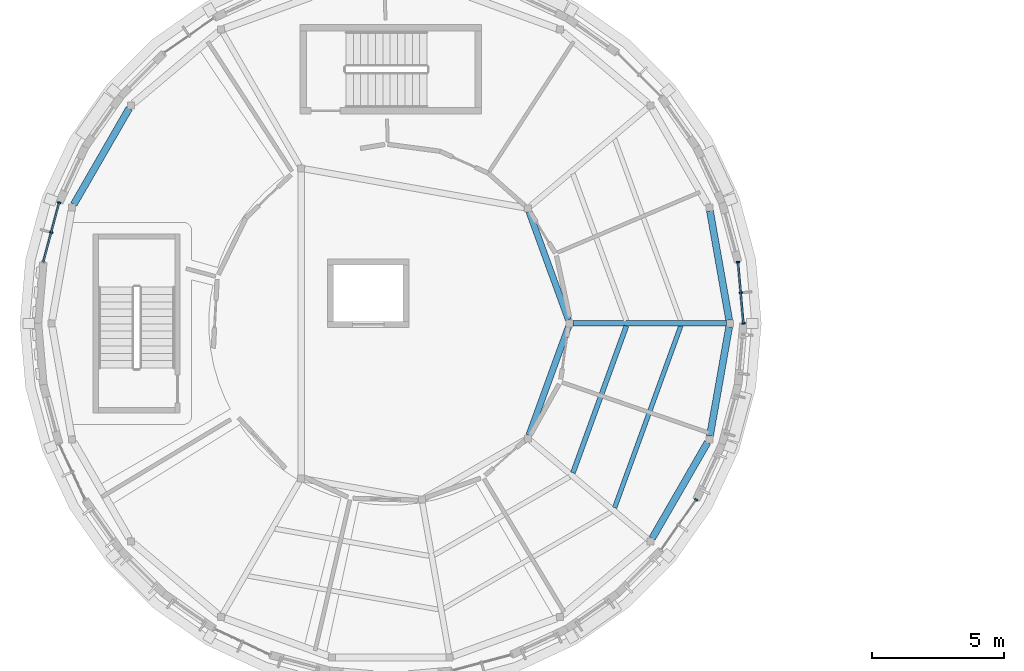
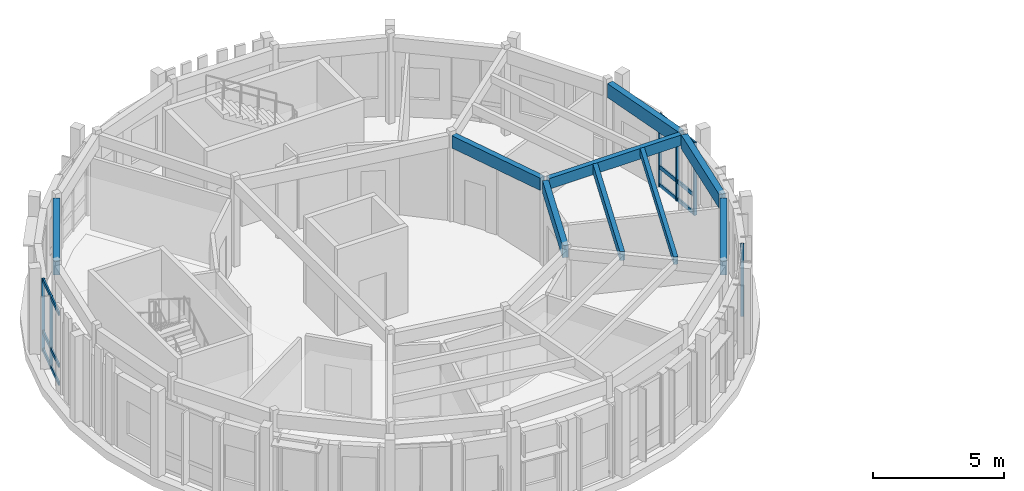
# One storey, part 6 of 30: 12 members, 9 beams, 3 elements without a shape of their own.
"""IFC4 building model written with IfcOpenShell, lengths in metres."""

from ifc_helpers import new_model, si_unit, direction, frame, origin, origin_2d, place, context, subcontext, project, spatial, rectangle, extrude, material, layer, layer_set, material_profile, profile_set, type_object, element, aggregate, save


model = new_model("IFC4")

# Units and contexts
model_context = context("Model", 3, precision=1e-05, world=origin(), true_north=direction((0.0, 1.0)))
body_context = subcontext(model_context, "Body", "Model", "MODEL_VIEW")
ifc_project = project(units=[si_unit("LENGTHUNIT", "METRE"), si_unit("AREAUNIT", "SQUARE_METRE"), si_unit("VOLUMEUNIT", "CUBIC_METRE"), si_unit("PLANEANGLEUNIT", "RADIAN"), si_unit("MASSUNIT", "GRAM", prefix="KILO")], contexts=[model_context])

# Site, building, storey
site_placement = place(None, origin())
site = spatial("IfcSite", under=ifc_project, at=site_placement, CompositionType="ELEMENT")
building_placement = place(site_placement, origin())
building = spatial("IfcBuilding", under=site, at=building_placement, Name="Aldenvaro Health Centre", CompositionType="ELEMENT")
storey_placement = place(building_placement, frame((0.0, 0.0, 17.14990234375)))
storey = spatial("IfcBuildingStorey", under=building, at=storey_placement, Name="L04", CompositionType="ELEMENT", Elevation=17.14990234375)

# Beams
ifc_material_1 = material(Name="Glulam GL28h", Category="wood")
ifc_material_profile_1 = material_profile(ifc_material_1, rectangle(XDim=0.175048828125, YDim=0.35009765625, at=origin_2d()), Name="GL 175x350", Category="wood")
ifc_profile_set_1 = profile_set([ifc_material_profile_1], Name="Glulam GL28h")
beam_type_1 = type_object("IfcBeamType", Name="BM-GL-350", PredefinedType="JOIST", material=ifc_profile_set_1)
beam_1_placement = place(storey_placement, frame((27.006103515625, 92.493896484375, 3.840087890625), z_axis=(0.341985813082, 0.939705115263, 0.0), x_axis=(-0.939705115263, 0.341985813082, 0.0)))
element("IfcBeam", 1, at=beam_1_placement, inside=storey, type_object=beam_type_1, Name="D4 L04 secondary joist 06.2", PredefinedType="JOIST", context=body_context, shape_type="SweptSolid", body=[
    extrude(rectangle(XDim=0.175048828125, YDim=0.35009765625, at=origin_2d()), origin(), (0.0, 0.0, 1.0), 7.34814453125),
])
ifc_material_profile_2 = material_profile(ifc_material_1, rectangle(XDim=0.18994140625, YDim=0.41796875, at=origin_2d()), Name="GL 190x418", Category="wood")
ifc_profile_set_2 = profile_set([ifc_material_profile_2], Name="Glulam GL28h")
beam_type_2 = type_object("IfcBeamType", Name="BM-GL-418", PredefinedType="JOIST", material=ifc_profile_set_2)
beam_2_placement = place(storey_placement, frame((25.423095703125, 93.822998046875, 3.80615234375), z_axis=(0.341921455433, 0.939728534373, 0.0), x_axis=(-0.939728534373, 0.341921455433, 0.0)))
element("IfcBeam", 2, at=beam_2_placement, inside=storey, type_object=beam_type_2, Name="D4 L04 secondary joist 06.1", PredefinedType="JOIST", context=body_context, shape_type="SweptSolid", body=[
    extrude(rectangle(XDim=0.18994140625, YDim=0.41796875, at=origin_2d()), origin(), (0.0, 0.0, 1.0), 5.93359375),
])
ifc_material_profile_3 = material_profile(ifc_material_1, rectangle(XDim=0.215087890625, YDim=0.493896484375, at=origin_2d()), Name="GL 215x494", Category="wood")
ifc_profile_set_3 = profile_set([ifc_material_profile_3], Name="Glulam GL28h")
beam_type_3 = type_object("IfcBeamType", Name="BM-GL-494", PredefinedType="BEAM", material=ifc_profile_set_3)
beam_3_placement = place(storey_placement, frame((25.43310546875, 99.5, 3.76806640625), z_axis=(1.0, 0.0, 0.0), x_axis=(0.0, 1.0, 0.0)))
element("IfcBeam", 3, at=beam_3_placement, inside=storey, type_object=beam_type_3, Name="D4 L04 radial beam 01", PredefinedType="BEAM", context=body_context, shape_type="SweptSolid", body=[
    extrude(rectangle(XDim=0.215087890625, YDim=0.493896484375, at=origin_2d()), origin(), (0.0, 0.0, 1.0), 5.81396484375),
])
ifc_material_profile_4 = material_profile(ifc_material_1, rectangle(XDim=0.239990234375, YDim=0.570068359375, at=origin_2d()), Name="GL 240x570", Category="wood")
ifc_profile_set_4 = profile_set([ifc_material_profile_4], Name="Glulam GL28h")
beam_type_4 = type_object("IfcBeamType", Name="BM-GL-570", PredefinedType="BEAM", material=ifc_profile_set_4)
for number, where, z_axis, x_axis, name in (
    (4, (25.2548828125, 99.625, 3.72998046875), (-0.34222571507, 0.939617773323, 0.0), (-0.939617773323, -0.34222571507, 0.0), "D4 L04 inner ring beam 01"),
    (5, (23.75390625, 95.25390625, 3.72998046875), (0.34222571507, 0.939617773323, 0.0), (-0.939617773323, 0.34222571507, 0.0), "D4 L04 inner ring beam 06"),
):
    element("IfcBeam", number, at=place(storey_placement, frame(where, z_axis=z_axis, x_axis=x_axis)), inside=storey, type_object=beam_type_4, Name=name, PredefinedType="BEAM", context=body_context, shape_type="SweptSolid", body=[
        extrude(rectangle(XDim=0.239990234375, YDim=0.570068359375, at=origin_2d()), origin(), (0.0, 0.0, 1.0), 4.385986328125),
    ])
ifc_material_profile_5 = material_profile(ifc_material_1, rectangle(XDim=0.264892578125, YDim=0.64599609375, at=origin_2d()), Name="GL 265x646", Category="wood")
ifc_profile_set_5 = profile_set([ifc_material_profile_5], Name="Glulam GL28h")
beam_type_5 = type_object("IfcBeamType", Name="BM-GL-646", PredefinedType="SPANDREL", material=ifc_profile_set_5)
beam_4_placement = place(storey_placement, frame((31.35693359375, 99.6298828125, 3.692138671875), z_axis=(-0.173666208797, 0.984804573467, 0.0), x_axis=(-0.984804573467, -0.173666208797, 0.0)))
element("IfcBeam", 6, at=beam_4_placement, inside=storey, type_object=beam_type_5, Name="D4 L04 perimeter spandrel 01", PredefinedType="SPANDREL", context=body_context, shape_type="SweptSolid", body=[
    extrude(rectangle(XDim=0.264892578125, YDim=0.64599609375, at=origin_2d()), origin(), (0.0, 0.0, 1.0), 4.208984375),
])
for number, where, z_axis, x_axis, name in (
    (7, (8.56689453125, 107.6640625, 3.692138671875), (-0.500020446946, -0.866013598413, 0.0), (0.866013598413, -0.500020446946, 0.0), "D4 L04 perimeter spandrel 08"),
    (8, (28.43310546875, 91.3359375, 3.692138671875), (0.500020446946, 0.866013598413, 0.0), (-0.866013598413, 0.500020446946, 0.0), "D4 L04 perimeter spandrel 17"),
):
    element("IfcBeam", number, at=place(storey_placement, frame(where, z_axis=z_axis, x_axis=x_axis)), inside=storey, type_object=beam_type_5, Name=name, PredefinedType="SPANDREL", context=body_context, shape_type="SweptSolid", body=[
        extrude(rectangle(XDim=0.264892578125, YDim=0.64599609375, at=origin_2d()), origin(), (0.0, 0.0, 1.0), 4.207763671875),
    ])
beam_5_placement = place(storey_placement, frame((30.6259765625, 95.22509765625, 3.692138671875), z_axis=(0.173666208797, 0.984804573467, 0.0), x_axis=(-0.984804573467, 0.173666208797, 0.0)))
element("IfcBeam", 9, at=beam_5_placement, inside=storey, type_object=beam_type_5, Name="D4 L04 perimeter spandrel 18", PredefinedType="SPANDREL", context=body_context, shape_type="SweptSolid", body=[
    extrude(rectangle(XDim=0.264892578125, YDim=0.64599609375, at=origin_2d()), origin(), (0.0, 0.0, 1.0), 4.208984375),
])

# Curtain wall, member
ifc_material_2 = material(Name="Anodised Aluminium 6063-T6", Category="aluminium")
ifc_layer = layer(ifc_material_2, 0.22509765625, Name="Anodised Aluminium 6063-T6", Category="aluminium")
ifc_layer_set = layer_set([ifc_layer], Name="Anodised Aluminium 6063-T6")
curtain_wall_type = type_object("IfcCurtainWallType", Name="CW-TER-04", PredefinedType="NOTDEFINED", material=ifc_layer_set)
curtain_wall_1_placement = place(storey_placement, origin())
curtain_wall_1 = element("IfcCurtainWall", 10, at=curtain_wall_1_placement, inside=storey, type_object=curtain_wall_type, Name="D4 L04 curtain wall bay 04", PredefinedType="NOTDEFINED")
ifc_material_profile_6 = material_profile(ifc_material_2, rectangle(XDim=0.06005859375, YDim=0.135009765625, at=origin_2d()), Name="ALU 60x135", Category="aluminium")
ifc_profile_set_6 = profile_set([ifc_material_profile_6], Name="Anodised Aluminium 6063-T6")
member_type_1 = type_object("IfcMemberType", Name="CWM-150", PredefinedType="MULLION", material=ifc_profile_set_6)
member_1_placement = place(storey_placement, frame((30.10498046875, 92.800048828125, 0.0), z_axis=(0.0, 0.0, 1.0), x_axis=(-0.573720929857, -0.819050849853, 0.0)))
member_1 = element("IfcMember", 11, at=member_1_placement, type_object=member_type_1, Name="D4 L04 curtain wall bay 04 mullion 1", PredefinedType="MULLION", context=body_context, shape_type="SweptSolid", body=[
    extrude(rectangle(XDim=0.06005859375, YDim=0.135009765625, at=origin_2d()), origin(), (0.0, 0.0, 1.0), 3.369140625),
])
aggregate(curtain_wall_1, [member_1])

# Curtain wall, members
curtain_wall_2_placement = place(storey_placement, origin())
curtain_wall_2 = element("IfcCurtainWall", 12, at=curtain_wall_2_placement, inside=storey, type_object=curtain_wall_type, Name="D4 L04 curtain wall bay 20", PredefinedType="NOTDEFINED")
member_2_placement = place(storey_placement, frame((5.60595703125, 102.955078125, 0.0), z_axis=(0.0, 0.0, 1.0), x_axis=(0.258621935517, 0.965978620089, 0.0)))
member_2 = element("IfcMember", 13, at=member_2_placement, type_object=member_type_1, Name="D4 L04 curtain wall bay 20 mullion 2", PredefinedType="MULLION", context=body_context, shape_type="SweptSolid", body=[
    extrude(rectangle(XDim=0.06005859375, YDim=0.135009765625, at=origin_2d()), origin(), (0.0, 0.0, 1.0), 3.369140625),
])
member_3_placement = place(storey_placement, frame((5.907958984375, 104.0830078125, 0.0), z_axis=(0.0, 0.0, 1.0), x_axis=(0.258621935517, 0.965978620089, 0.0)))
member_3 = element("IfcMember", 14, at=member_3_placement, type_object=member_type_1, Name="D4 L04 curtain wall bay 20 mullion 3", PredefinedType="MULLION", context=body_context, shape_type="SweptSolid", body=[
    extrude(rectangle(XDim=0.06005859375, YDim=0.135009765625, at=origin_2d()), origin(), (0.0, 0.0, 1.0), 3.369140625),
])

curtain_wall_3_placement = place(storey_placement, origin())
curtain_wall_3 = element("IfcCurtainWall", 15, at=curtain_wall_3_placement, inside=storey, type_object=curtain_wall_type, Name="D4 L04 curtain wall bay 36", PredefinedType="NOTDEFINED")
member_4_placement = place(storey_placement, frame((31.696044921875, 101.826904296875, 0.0), z_axis=(0.0, 0.0, 1.0), x_axis=(0.087331575855, -0.996179299052, 0.0)))
member_4 = element("IfcMember", 16, at=member_4_placement, type_object=member_type_1, Name="D4 L04 curtain wall bay 36 mullion 1", PredefinedType="MULLION", context=body_context, shape_type="SweptSolid", body=[
    extrude(rectangle(XDim=0.06005859375, YDim=0.135009765625, at=origin_2d()), origin(), (0.0, 0.0, 1.0), 3.369140625),
])
member_5_placement = place(storey_placement, frame((31.798095703125, 100.6630859375, 0.0), z_axis=(0.0, 0.0, 1.0), x_axis=(0.087331575855, -0.996179299052, 0.0)))
member_5 = element("IfcMember", 17, at=member_5_placement, type_object=member_type_1, Name="D4 L04 curtain wall bay 36 mullion 2", PredefinedType="MULLION", context=body_context, shape_type="SweptSolid", body=[
    extrude(rectangle(XDim=0.06005859375, YDim=0.135009765625, at=origin_2d()), origin(), (0.0, 0.0, 1.0), 3.369140625),
])
member_6_placement = place(storey_placement, frame((31.89990234375, 99.5, 0.0), z_axis=(0.0, 0.0, 1.0), x_axis=(0.087331575855, -0.996179299052, 0.0)))
member_6 = element("IfcMember", 18, at=member_6_placement, type_object=member_type_1, Name="D4 L04 curtain wall bay 36 mullion 3", PredefinedType="MULLION", context=body_context, shape_type="SweptSolid", body=[
    extrude(rectangle(XDim=0.06005859375, YDim=0.135009765625, at=origin_2d()), origin(), (0.0, 0.0, 1.0), 3.369140625),
])

# Member
ifc_material_profile_7 = material_profile(ifc_material_2, rectangle(XDim=0.06494140625, YDim=0.179931640625, at=origin_2d()), Name="ALU 65x180", Category="aluminium")
ifc_profile_set_7 = profile_set([ifc_material_profile_7], Name="Anodised Aluminium 6063-T6")
member_type_2 = type_object("IfcMemberType", Name="CWT-150", PredefinedType="USERDEFINED", material=ifc_profile_set_7)
member_7_placement = place(storey_placement, frame((5.303955078125, 101.826904296875, 0.06005859375), z_axis=(0.258612423585, 0.965981166673, 0.0), x_axis=(-0.965981166673, 0.258612423585, 0.0)))
member_7 = element("IfcMember", 19, at=member_7_placement, type_object=member_type_2, Name="D4 L04 curtain wall bay 20 transom 1", ObjectType="TRANSOM", PredefinedType="USERDEFINED", context=body_context, shape_type="SweptSolid", body=[
    extrude(rectangle(XDim=0.06494140625, YDim=0.179931640625, at=origin_2d()), origin(), (0.0, 0.0, 1.0), 2.33544921875),
])

member_8_placement = place(storey_placement, frame((5.303955078125, 101.826904296875, 0.900146484375), z_axis=(0.258612423585, 0.965981166673, 0.0), x_axis=(-0.965981166673, 0.258612423585, 0.0)))
member_8 = element("IfcMember", 20, at=member_8_placement, type_object=member_type_2, Name="D4 L04 curtain wall bay 20 transom 2", ObjectType="TRANSOM", PredefinedType="USERDEFINED", context=body_context, shape_type="SweptSolid", body=[
    extrude(rectangle(XDim=0.06494140625, YDim=0.179931640625, at=origin_2d()), origin(), (0.0, 0.0, 1.0), 2.33544921875),
])

member_9_placement = place(storey_placement, frame((5.303955078125, 101.826904296875, 3.30908203125), z_axis=(0.258612423585, 0.965981166673, 0.0), x_axis=(-0.965981166673, 0.258612423585, 0.0)))
member_9 = element("IfcMember", 21, at=member_9_placement, type_object=member_type_2, Name="D4 L04 curtain wall bay 20 transom 3", ObjectType="TRANSOM", PredefinedType="USERDEFINED", context=body_context, shape_type="SweptSolid", body=[
    extrude(rectangle(XDim=0.06494140625, YDim=0.179931640625, at=origin_2d()), origin(), (0.0, 0.0, 1.0), 2.33544921875),
])

aggregate(curtain_wall_2, [member_2, member_3, member_7, member_8, member_9])

member_10_placement = place(storey_placement, frame((31.696044921875, 101.826904296875, 0.06005859375), z_axis=(0.087274565792, -0.996184295282, 0.0), x_axis=(0.996184295282, 0.087274565792, 0.0)))
member_10 = element("IfcMember", 22, at=member_10_placement, type_object=member_type_2, Name="D4 L04 curtain wall bay 36 transom 1", ObjectType="TRANSOM", PredefinedType="USERDEFINED", context=body_context, shape_type="SweptSolid", body=[
    extrude(rectangle(XDim=0.06494140625, YDim=0.179931640625, at=origin_2d()), origin(), (0.0, 0.0, 1.0), 2.3359375),
])

member_11_placement = place(storey_placement, frame((31.696044921875, 101.826904296875, 0.900146484375), z_axis=(0.087274565792, -0.996184295282, 0.0), x_axis=(0.996184295282, 0.087274565792, 0.0)))
member_11 = element("IfcMember", 23, at=member_11_placement, type_object=member_type_2, Name="D4 L04 curtain wall bay 36 transom 2", ObjectType="TRANSOM", PredefinedType="USERDEFINED", context=body_context, shape_type="SweptSolid", body=[
    extrude(rectangle(XDim=0.06494140625, YDim=0.179931640625, at=origin_2d()), origin(), (0.0, 0.0, 1.0), 2.3359375),
])

member_12_placement = place(storey_placement, frame((31.696044921875, 101.826904296875, 3.30908203125), z_axis=(0.087274565792, -0.996184295282, 0.0), x_axis=(0.996184295282, 0.087274565792, 0.0)))
member_12 = element("IfcMember", 24, at=member_12_placement, type_object=member_type_2, Name="D4 L04 curtain wall bay 36 transom 3", ObjectType="TRANSOM", PredefinedType="USERDEFINED", context=body_context, shape_type="SweptSolid", body=[
    extrude(rectangle(XDim=0.06494140625, YDim=0.179931640625, at=origin_2d()), origin(), (0.0, 0.0, 1.0), 2.3359375),
])

aggregate(curtain_wall_3, [member_4, member_5, member_6, member_10, member_11, member_12])

save(model, "model.ifc")
